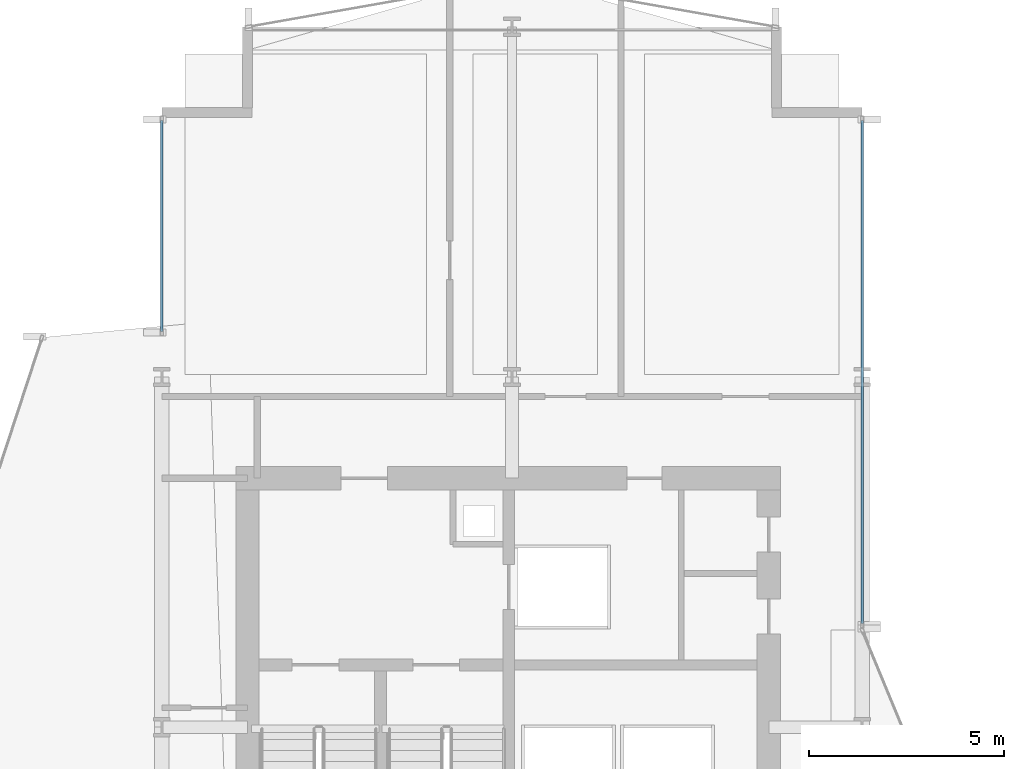
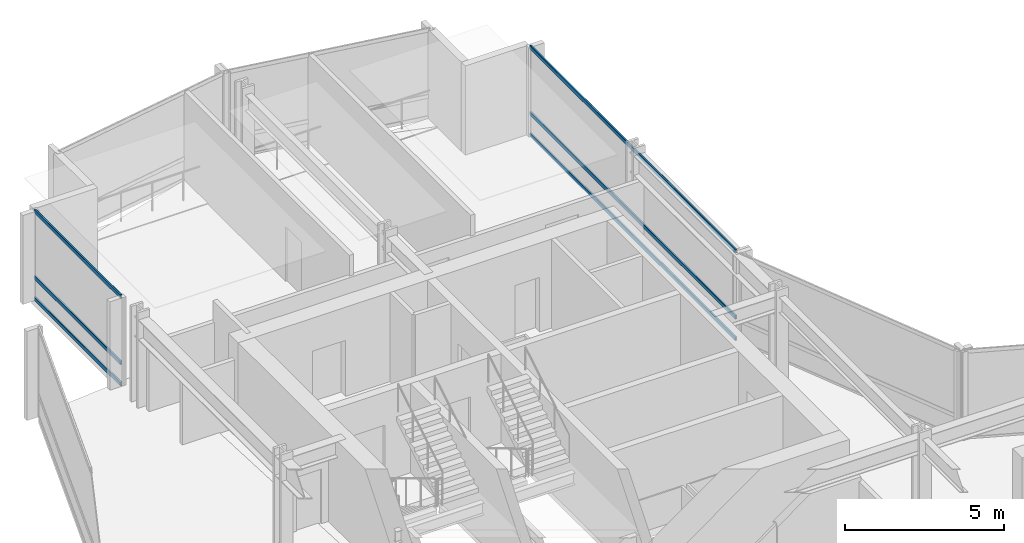
# One storey, part 22 of 34: 6 members, 2 elements without a shape of their own.
"""IFC4 building model written with IfcOpenShell, lengths in metres."""

from ifc_helpers import new_model, si_unit, direction, frame, origin, origin_2d, place, context, subcontext, project, spatial, hollow_rectangle, extrude, material, layer, layer_set, material_profile, profile_set, type_object, element, aggregate, save


model = new_model("IFC4")

# Units and contexts
model_context = context("Model", 3, precision=1e-05, world=origin(), true_north=direction((0.0, 1.0)))
body_context = subcontext(model_context, "Body", "Model", "MODEL_VIEW")
ifc_project = project(units=[si_unit("LENGTHUNIT", "METRE"), si_unit("AREAUNIT", "SQUARE_METRE"), si_unit("VOLUMEUNIT", "CUBIC_METRE"), si_unit("PLANEANGLEUNIT", "RADIAN"), si_unit("MASSUNIT", "GRAM", prefix="KILO")], contexts=[model_context])

# Site, building, storey
site_placement = place(None, origin())
site = spatial("IfcSite", under=ifc_project, at=site_placement, CompositionType="ELEMENT")
building_placement = place(site_placement, origin())
building = spatial("IfcBuilding", under=site, at=building_placement, Name="Solvaryn Broadcast Tower", CompositionType="ELEMENT")
storey_placement = place(building_placement, frame((0.0, 0.0, 47.10009765625)))
storey = spatial("IfcBuildingStorey", under=building, at=storey_placement, Name="L10", CompositionType="ELEMENT", Elevation=47.10009765625)

# Curtain wall, members
ifc_material_1 = material(Name="Aluminium and Terracotta Unitised Curtain Wall", Category="masonry")
ifc_layer = layer(ifc_material_1, 0.199951171875)
ifc_layer_set = layer_set([ifc_layer], Name="CW-SYS2-LOWMID")
curtain_wall_type = type_object("IfcCurtainWallType", Name="CW-SYS2-LOWMID", PredefinedType="NOTDEFINED", material=ifc_layer_set)
curtain_wall_1_placement = place(storey_placement, origin())
curtain_wall_1 = element("IfcCurtainWall", 1, at=curtain_wall_1_placement, inside=storey, type_object=curtain_wall_type, Name="L10 Curtain Wall W2", PredefinedType="NOTDEFINED")
ifc_material_2 = material(Name="Anodised Aluminium 6063-T6", Category="aluminium")
ifc_material_profile = material_profile(ifc_material_2, hollow_rectangle(XDim=0.06494140625, YDim=0.14990234375, WallThickness=0.00390625, InnerFilletRadius=0.00390625, OuterFilletRadius=0.008056640625, at=origin_2d()))
ifc_profile_set = profile_set([ifc_material_profile], Name="Anodised Aluminium 6063-T6")
member_type = type_object("IfcMemberType", Name="CW-TRN-150", PredefinedType="USERDEFINED", material=ifc_profile_set)
member_1_placement = place(storey_placement, frame((9.0, 46.176025390625, 0.02978515625), z_axis=(0.0, 1.0, 0.0), x_axis=(-1.0, 0.0, 0.0)))
member_1 = element("IfcMember", 2, at=member_1_placement, type_object=member_type, Name="CWS2 transom 1.1", ObjectType="TRANSOM", PredefinedType="USERDEFINED", context=body_context, shape_type="SweptSolid", body=[
    extrude(hollow_rectangle(XDim=0.06494140625, YDim=0.14990234375, WallThickness=0.00390625, InnerFilletRadius=0.00390625, OuterFilletRadius=0.008056640625, at=origin_2d()), origin(), (0.0, 0.0, 1.0), 5.4140625),
])
member_2_placement = place(storey_placement, frame((9.0, 46.176025390625, 0.849853515625), z_axis=(0.0, 1.0, 0.0), x_axis=(-1.0, 0.0, 0.0)))
member_2 = element("IfcMember", 3, at=member_2_placement, type_object=member_type, Name="CWS2 transom 1.2", ObjectType="TRANSOM", PredefinedType="USERDEFINED", context=body_context, shape_type="SweptSolid", body=[
    extrude(hollow_rectangle(XDim=0.06494140625, YDim=0.14990234375, WallThickness=0.00390625, InnerFilletRadius=0.00390625, OuterFilletRadius=0.008056640625, at=origin_2d()), origin(), (0.0, 0.0, 1.0), 5.4140625),
])
member_3_placement = place(storey_placement, frame((9.0, 46.176025390625, 3.389892578125), z_axis=(0.0, 1.0, 0.0), x_axis=(-1.0, 0.0, 0.0)))
member_3 = element("IfcMember", 4, at=member_3_placement, type_object=member_type, Name="CWS2 transom 1.3", ObjectType="TRANSOM", PredefinedType="USERDEFINED", context=body_context, shape_type="SweptSolid", body=[
    extrude(hollow_rectangle(XDim=0.06494140625, YDim=0.14990234375, WallThickness=0.00390625, InnerFilletRadius=0.00390625, OuterFilletRadius=0.008056640625, at=origin_2d()), origin(), (0.0, 0.0, 1.0), 5.4140625),
])
aggregate(curtain_wall_1, [member_1, member_2, member_3])

curtain_wall_2_placement = place(storey_placement, origin())
curtain_wall_2 = element("IfcCurtainWall", 5, at=curtain_wall_2_placement, inside=storey, type_object=curtain_wall_type, Name="L10 Curtain Wall IV", PredefinedType="NOTDEFINED")
member_4_placement = place(storey_placement, frame((27.0, 51.590087890625, 0.02978515625), z_axis=(0.0, -1.0, 0.0), x_axis=(1.0, 0.0, 0.0)))
member_4 = element("IfcMember", 6, at=member_4_placement, type_object=member_type, Name="CWS2 transom 1.1", ObjectType="TRANSOM", PredefinedType="USERDEFINED", context=body_context, shape_type="SweptSolid", body=[
    extrude(hollow_rectangle(XDim=0.06494140625, YDim=0.14990234375, WallThickness=0.00390625, InnerFilletRadius=0.00390625, OuterFilletRadius=0.008056640625, at=origin_2d()), origin(), (0.0, 0.0, 1.0), 12.93017578125),
])
member_5_placement = place(storey_placement, frame((27.0, 51.590087890625, 0.849853515625), z_axis=(0.0, -1.0, 0.0), x_axis=(1.0, 0.0, 0.0)))
member_5 = element("IfcMember", 7, at=member_5_placement, type_object=member_type, Name="CWS2 transom 1.2", ObjectType="TRANSOM", PredefinedType="USERDEFINED", context=body_context, shape_type="SweptSolid", body=[
    extrude(hollow_rectangle(XDim=0.06494140625, YDim=0.14990234375, WallThickness=0.00390625, InnerFilletRadius=0.00390625, OuterFilletRadius=0.008056640625, at=origin_2d()), origin(), (0.0, 0.0, 1.0), 12.93017578125),
])
member_6_placement = place(storey_placement, frame((27.0, 51.590087890625, 3.389892578125), z_axis=(0.0, -1.0, 0.0), x_axis=(1.0, 0.0, 0.0)))
member_6 = element("IfcMember", 8, at=member_6_placement, type_object=member_type, Name="CWS2 transom 1.3", ObjectType="TRANSOM", PredefinedType="USERDEFINED", context=body_context, shape_type="SweptSolid", body=[
    extrude(hollow_rectangle(XDim=0.06494140625, YDim=0.14990234375, WallThickness=0.00390625, InnerFilletRadius=0.00390625, OuterFilletRadius=0.008056640625, at=origin_2d()), origin(), (0.0, 0.0, 1.0), 12.93017578125),
])
aggregate(curtain_wall_2, [member_4, member_5, member_6])

save(model, "model.ifc")
